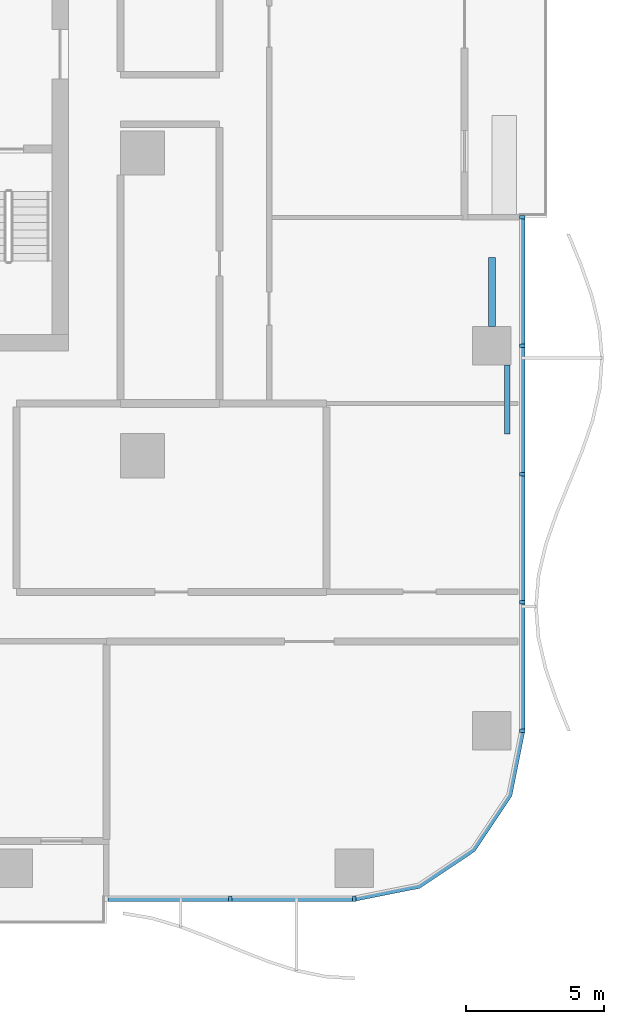
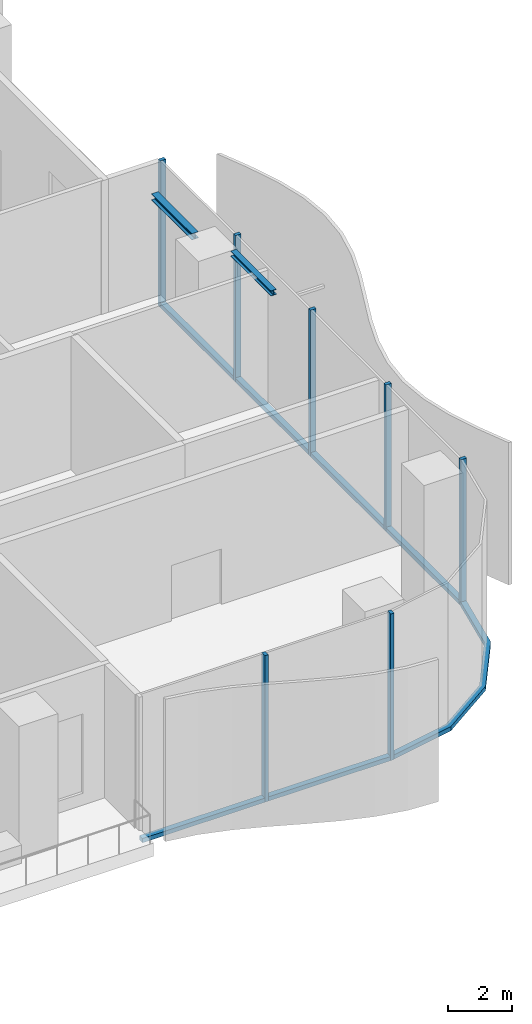
# One storey, part 3 of 20: 14 members, 2 beams, 3 elements without a shape of their own.
"""IFC4 building model written with IfcOpenShell, lengths in metres."""

from ifc_helpers import new_model, si_unit, direction, frame, origin, origin_2d, place, context, subcontext, project, spatial, polyline, rectangle, i_section, outline, extrude, material, material_profile, profile_set, type_object, element, aggregate, save


model = new_model("IFC4")

# Units and contexts
model_context = context("Model", 3, precision=1e-05, world=origin(), true_north=direction((0.0, 1.0)))
body_context = subcontext(model_context, "Body", "Model", "MODEL_VIEW")
ifc_project = project(units=[si_unit("LENGTHUNIT", "METRE"), si_unit("AREAUNIT", "SQUARE_METRE"), si_unit("VOLUMEUNIT", "CUBIC_METRE"), si_unit("PLANEANGLEUNIT", "RADIAN"), si_unit("MASSUNIT", "GRAM", prefix="KILO")], contexts=[model_context])

# Site, building, storey
site_placement = place(None, origin())
site = spatial("IfcSite", under=ifc_project, at=site_placement, CompositionType="ELEMENT")
building_placement = place(site_placement, origin())
building = spatial("IfcBuilding", under=site, at=building_placement, Name="Mopane Tessera Tower", CompositionType="ELEMENT")
storey_placement = place(building_placement, frame((0.0, 0.0, 25.5)))
storey = spatial("IfcBuildingStorey", under=building, at=storey_placement, Name="L04", CompositionType="ELEMENT", Elevation=25.5)

# Curtain wall, members
ifc_material_1 = material(Name="Aluminium frame", Category="aluminium")
curtain_wall_type = type_object("IfcCurtainWallType", Name="Podium unitised wall", PredefinedType="NOTDEFINED", material=ifc_material_1)
curtain_wall_1_placement = place(storey_placement, origin())
curtain_wall_1 = element("IfcCurtainWall", 1, at=curtain_wall_1_placement, inside=storey, type_object=curtain_wall_type, Name="e:cw:L04:S:9", PredefinedType="NOTDEFINED")
ifc_material_2 = material(Name="Aluminium frame", Category="aluminium")
ifc_material_profile_1 = material_profile(ifc_material_2, rectangle(XDim=0.125, YDim=0.199951171875, at=origin_2d()))
ifc_profile_set_1 = profile_set([ifc_material_profile_1], Name="Aluminium frame")
member_type_1 = type_object("IfcMemberType", Name="Aluminium mullion 125 x 200", PredefinedType="MULLION", material=ifc_profile_set_1)
member_1_placement = place(storey_placement, frame((20.291015625, -27.10009765625, -0.5), z_axis=(0.0, 0.0, 1.0), x_axis=(1.0, 0.0, 0.0)))
member_1 = element("IfcMember", 2, at=member_1_placement, type_object=member_type_1, Name="e:cw:L04:S:9:mu10", PredefinedType="MULLION", context=body_context, shape_type="SweptSolid", body=[
    extrude(rectangle(XDim=0.125, YDim=0.199951171875, at=origin_2d()), origin(), (0.0, 0.0, 1.0), 5.550048828125),
])
member_2_placement = place(storey_placement, frame((24.800048828125, -27.10009765625, -0.5), z_axis=(0.0, 0.0, 1.0), x_axis=(1.0, 0.0, 0.0)))
member_2 = element("IfcMember", 3, at=member_2_placement, type_object=member_type_1, Name="e:cw:L04:S:9:mu11", PredefinedType="MULLION", context=body_context, shape_type="SweptSolid", body=[
    extrude(rectangle(XDim=0.125, YDim=0.199951171875, at=origin_2d()), origin(), (0.0, 0.0, 1.0), 5.550048828125),
])

curtain_wall_2_placement = place(storey_placement, origin())
curtain_wall_2 = element("IfcCurtainWall", 4, at=curtain_wall_2_placement, inside=storey, type_object=curtain_wall_type, Name="e:cw:L04:E:0", PredefinedType="NOTDEFINED")
member_3_placement = place(storey_placement, frame((30.89990234375, -21.0, -0.5), z_axis=(0.0, 0.0, 1.0), x_axis=(0.0, 1.0, 0.0)))
member_3 = element("IfcMember", 5, at=member_3_placement, type_object=member_type_1, Name="e:cw:L04:E:0:mu0", PredefinedType="MULLION", context=body_context, shape_type="SweptSolid", body=[
    extrude(rectangle(XDim=0.125, YDim=0.199951171875, at=origin_2d()), origin(), (0.0, 0.0, 1.0), 5.550048828125),
])
member_4_placement = place(storey_placement, frame((30.89990234375, -16.333251953125, -0.5), z_axis=(0.0, 0.0, 1.0), x_axis=(0.0, 1.0, 0.0)))
member_4 = element("IfcMember", 6, at=member_4_placement, type_object=member_type_1, Name="e:cw:L04:E:0:mu1", PredefinedType="MULLION", context=body_context, shape_type="SweptSolid", body=[
    extrude(rectangle(XDim=0.125, YDim=0.199951171875, at=origin_2d()), origin(), (0.0, 0.0, 1.0), 5.550048828125),
])
member_5_placement = place(storey_placement, frame((30.89990234375, -11.666748046875, -0.5), z_axis=(0.0, 0.0, 1.0), x_axis=(0.0, 1.0, 0.0)))
member_5 = element("IfcMember", 7, at=member_5_placement, type_object=member_type_1, Name="e:cw:L04:E:0:mu2", PredefinedType="MULLION", context=body_context, shape_type="SweptSolid", body=[
    extrude(rectangle(XDim=0.125, YDim=0.199951171875, at=origin_2d()), origin(), (0.0, 0.0, 1.0), 5.550048828125),
])
member_6_placement = place(storey_placement, frame((30.89990234375, -7.0, -0.5), z_axis=(0.0, 0.0, 1.0), x_axis=(0.0, 1.0, 0.0)))
member_6 = element("IfcMember", 8, at=member_6_placement, type_object=member_type_1, Name="e:cw:L04:E:0:mu3", PredefinedType="MULLION", context=body_context, shape_type="SweptSolid", body=[
    extrude(rectangle(XDim=0.125, YDim=0.199951171875, at=origin_2d()), origin(), (0.0, 0.0, 1.0), 5.550048828125),
])
member_7_placement = place(storey_placement, frame((30.89990234375, -2.333251953125, -0.5), z_axis=(0.0, 0.0, 1.0), x_axis=(0.0, 1.0, 0.0)))
member_7 = element("IfcMember", 9, at=member_7_placement, type_object=member_type_1, Name="e:cw:L04:E:0:mu4", PredefinedType="MULLION", context=body_context, shape_type="SweptSolid", body=[
    extrude(rectangle(XDim=0.125, YDim=0.199951171875, at=origin_2d()), origin(), (0.0, 0.0, 1.0), 5.550048828125),
])

# Member
ifc_material_3 = material(Name="Aluminium frame", Category="aluminium")
ifc_material_profile_2 = material_profile(ifc_material_3, rectangle(XDim=0.199951171875, YDim=0.159912109375, at=origin_2d()))
ifc_profile_set_2 = profile_set([ifc_material_profile_2], Name="Aluminium frame")
member_type_2 = type_object("IfcMemberType", Name="Aluminium transom 200 x 160", PredefinedType="USERDEFINED", material=ifc_profile_set_2)
member_8_placement = place(storey_placement, frame((15.84423828125, -27.10009765625, -0.419921875), z_axis=(1.0, 0.0, 0.0), x_axis=(0.0, 1.0, 0.0)))
member_8 = element("IfcMember", 10, at=member_8_placement, type_object=member_type_2, Name="e:cw:L04:S:9:tr9", ObjectType="TRANSOM", PredefinedType="USERDEFINED", context=body_context, shape_type="SweptSolid", body=[
    extrude(rectangle(XDim=0.199951171875, YDim=0.159912109375, at=origin_2d()), origin(), (0.0, 0.0, 1.0), 4.38427734375),
])

member_9_placement = place(storey_placement, frame((20.353515625, -27.10009765625, -0.419921875), z_axis=(1.0, 0.0, 0.0), x_axis=(0.0, 1.0, 0.0)))
member_9 = element("IfcMember", 11, at=member_9_placement, type_object=member_type_2, Name="e:cw:L04:S:9:tr10", ObjectType="TRANSOM", PredefinedType="USERDEFINED", context=body_context, shape_type="SweptSolid", body=[
    extrude(rectangle(XDim=0.199951171875, YDim=0.159912109375, at=origin_2d()), origin(), (0.0, 0.0, 1.0), 4.384033203125),
])

aggregate(curtain_wall_1, [member_1, member_2, member_8, member_9])

# Curtain wall, member
curtain_wall_3_placement = place(storey_placement, origin())
curtain_wall_3 = element("IfcCurtainWall", 12, at=curtain_wall_3_placement, inside=storey, type_object=curtain_wall_type, Name="e:cw:L04:CS", PredefinedType="NOTDEFINED")
member_10_placement = place(storey_placement, frame((0.0, 0.0, -0.5)))
member_10 = element("IfcMember", 13, at=member_10_placement, type_object=member_type_2, Name="e:cw:L04:CS:tr", ObjectType="TRANSOM", PredefinedType="USERDEFINED", context=body_context, shape_type="SweptSolid", body=[
    extrude(outline(polyline([(24.800048828125, -27.0), (27.09619140625, -26.543212890625), (29.042724609375, -25.24267578125), (30.34326171875, -23.296142578125), (30.800048828125, -21.0), (31.0, -21.0), (30.528076171875, -23.37255859375), (29.18408203125, -25.384033203125), (27.172607421875, -26.72802734375), (24.800048828125, -27.199951171875), (24.800048828125, -27.0)])), origin(), (0.0, 0.0, 1.0), 0.159912109375),
])
aggregate(curtain_wall_3, [member_10])

# Member
member_11_placement = place(storey_placement, frame((30.89990234375, -20.9375, -0.419921875), z_axis=(0.0, 1.0, 0.0), x_axis=(-1.0, 0.0, 0.0)))
member_11 = element("IfcMember", 14, at=member_11_placement, type_object=member_type_2, Name="e:cw:L04:E:0:tr0", ObjectType="TRANSOM", PredefinedType="USERDEFINED", context=body_context, shape_type="SweptSolid", body=[
    extrude(rectangle(XDim=0.199951171875, YDim=0.159912109375, at=origin_2d()), origin(), (0.0, 0.0, 1.0), 4.541748046875),
])

member_12_placement = place(storey_placement, frame((30.89990234375, -16.270751953125, -0.419921875), z_axis=(0.0, 1.0, 0.0), x_axis=(-1.0, 0.0, 0.0)))
member_12 = element("IfcMember", 15, at=member_12_placement, type_object=member_type_2, Name="e:cw:L04:E:0:tr1", ObjectType="TRANSOM", PredefinedType="USERDEFINED", context=body_context, shape_type="SweptSolid", body=[
    extrude(rectangle(XDim=0.199951171875, YDim=0.159912109375, at=origin_2d()), origin(), (0.0, 0.0, 1.0), 4.54150390625),
])

member_13_placement = place(storey_placement, frame((30.89990234375, -11.604248046875, -0.419921875), z_axis=(0.0, 1.0, 0.0), x_axis=(-1.0, 0.0, 0.0)))
member_13 = element("IfcMember", 16, at=member_13_placement, type_object=member_type_2, Name="e:cw:L04:E:0:tr2", ObjectType="TRANSOM", PredefinedType="USERDEFINED", context=body_context, shape_type="SweptSolid", body=[
    extrude(rectangle(XDim=0.199951171875, YDim=0.159912109375, at=origin_2d()), origin(), (0.0, 0.0, 1.0), 4.541748046875),
])

member_14_placement = place(storey_placement, frame((30.89990234375, -6.9375, -0.419921875), z_axis=(0.0, 1.0, 0.0), x_axis=(-1.0, 0.0, 0.0)))
member_14 = element("IfcMember", 17, at=member_14_placement, type_object=member_type_2, Name="e:cw:L04:E:0:tr3", ObjectType="TRANSOM", PredefinedType="USERDEFINED", context=body_context, shape_type="SweptSolid", body=[
    extrude(rectangle(XDim=0.199951171875, YDim=0.159912109375, at=origin_2d()), origin(), (0.0, 0.0, 1.0), 4.541748046875),
])

aggregate(curtain_wall_2, [member_3, member_4, member_5, member_6, member_7, member_11, member_12, member_13, member_14])

# Beams
ifc_material_4 = material(Name="Structural steel S460", Category="steel")
ifc_material_profile_3 = material_profile(ifc_material_4, i_section(OverallWidth=0.239990234375, OverallDepth=0.239990234375, WebThickness=0.010009765625, FlangeThickness=0.01708984375, FilletRadius=0.02099609375, at=origin_2d()))
ifc_profile_set_3 = profile_set([ifc_material_profile_3], Name="Structural steel S460")
beam_type_1 = type_object("IfcBeamType", Name="Terrace spandrel beam HE 240 B", PredefinedType="SPANDREL", material=ifc_profile_set_3)
beam_1_placement = place(storey_placement, frame((29.800048828125, -6.297119140625, 4.929931640625), z_axis=(0.0, 1.0, 0.0), x_axis=(-1.0, 0.0, 0.0)))
element("IfcBeam", 18, at=beam_1_placement, inside=storey, type_object=beam_type_1, Name="Terrace spandrel beam N1 L05", PredefinedType="SPANDREL", context=body_context, shape_type="SweptSolid", body=[
    extrude(i_section(OverallWidth=0.239990234375, OverallDepth=0.239990234375, WebThickness=0.010009765625, FlangeThickness=0.01708984375, FilletRadius=0.02099609375, at=origin_2d()), origin(), (0.0, 0.0, 1.0), 2.5),
])
ifc_material_5 = material(Name="Structural steel S460", Category="steel")
ifc_material_profile_4 = material_profile(ifc_material_5, i_section(OverallWidth=0.199951171875, OverallDepth=0.199951171875, WebThickness=0.009033203125, FlangeThickness=0.014892578125, FilletRadius=0.01806640625, at=origin_2d()))
ifc_profile_set_4 = profile_set([ifc_material_profile_4], Name="Structural steel S460")
beam_type_2 = type_object("IfcBeamType", Name="Terrace trimmer beam HE 200 B", PredefinedType="BEAM", material=ifc_profile_set_4)
beam_2_placement = place(storey_placement, frame((30.360107421875, -7.702880859375, 4.949951171875), z_axis=(0.0, -1.0, 0.0), x_axis=(1.0, 0.0, 0.0)))
element("IfcBeam", 19, at=beam_2_placement, inside=storey, type_object=beam_type_2, Name="Terrace trimmer beam N1 L05", PredefinedType="BEAM", context=body_context, shape_type="SweptSolid", body=[
    extrude(i_section(OverallWidth=0.199951171875, OverallDepth=0.199951171875, WebThickness=0.009033203125, FlangeThickness=0.014892578125, FilletRadius=0.01806640625, at=origin_2d()), origin(), (0.0, 0.0, 1.0), 2.5),
])

save(model, "model.ifc")
